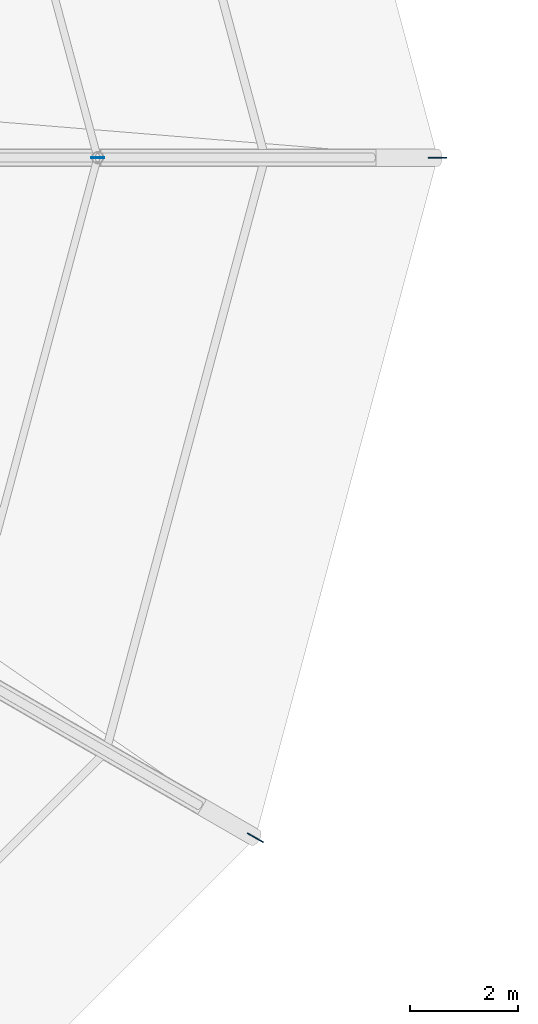
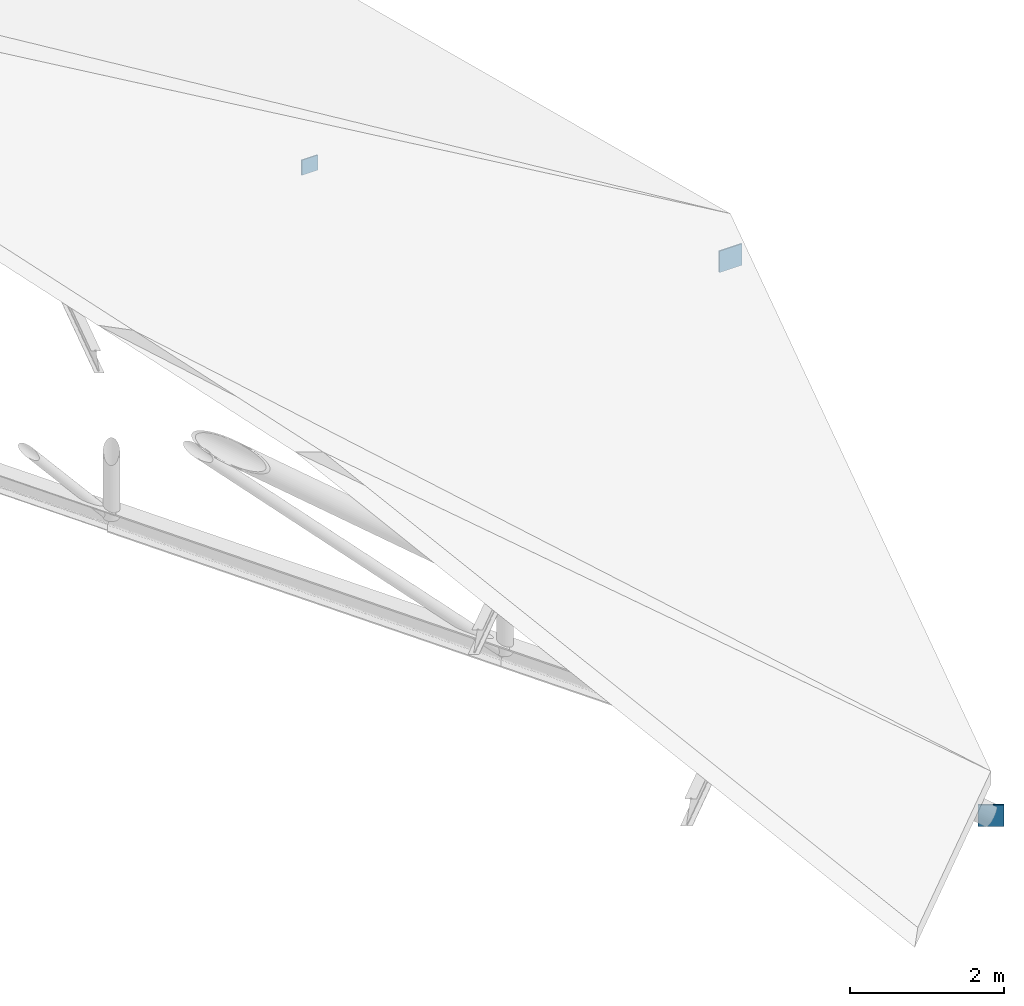
# One storey, part 43 of 58: 3 plates.
"""IFC4 building model written with IfcOpenShell, lengths in metres."""

from ifc_helpers import new_model, si_unit, derived_unit, direction, frame, origin, origin_2d, place, context, subcontext, project, spatial, rectangle, extrude, material, layer, layer_set, type_object, element, save


model = new_model("IFC4")

# Units and contexts
model_context = context("Model", 3, precision=1e-05, world=origin(), true_north=direction((0.0, 1.0)))
body_context = subcontext(model_context, "Body", "Model", "MODEL_VIEW")
ifc_project = project(units=[si_unit("LENGTHUNIT", "METRE"), si_unit("AREAUNIT", "SQUARE_METRE"), si_unit("VOLUMEUNIT", "CUBIC_METRE"), si_unit("PLANEANGLEUNIT", "RADIAN"), si_unit("MASSUNIT", "GRAM", prefix="KILO"), derived_unit("THERMALTRANSMITTANCEUNIT", [(si_unit("POWERUNIT", "WATT"), 1), (si_unit("AREAUNIT", "SQUARE_METRE"), -1), (si_unit("THERMODYNAMICTEMPERATUREUNIT", "KELVIN"), -1)])], contexts=[model_context])

# Site, building, storey
site_placement = place(None, origin())
site = spatial("IfcSite", under=ifc_project, at=site_placement, CompositionType="ELEMENT")
building_placement = place(site_placement, origin())
building = spatial("IfcBuilding", under=site, at=building_placement, Name="Yasenodar Specialist Clinic", CompositionType="ELEMENT")
storey_placement = place(building_placement, frame((0.0, 0.0, 21.300048828125)))
storey = spatial("IfcBuildingStorey", under=building, at=storey_placement, Name="L05", CompositionType="ELEMENT", Elevation=21.300048828125)

# Plates
ifc_material = material(Name="Steel S355", Category="steel")
ifc_layer_1 = layer(ifc_material, 0.02001953125)
ifc_layer_set_1 = layer_set([ifc_layer_1], Name="Steel S355")
plate_type_1 = type_object("IfcPlateType", Name="PL-STEEL-03", PredefinedType="SHEET", material=ifc_layer_set_1)
for number, where, z_axis, x_axis, name in (
    (1, (106.199951171875, 58.800048828125, -0.8701171875), (0.0, 0.0, 1.0), (1.0, 0.0, 0.0), "L05 Hollow Section End-Cap Plate 0043"),
    (2, (102.82373046875, 46.199951171875, -0.8701171875), (0.0, 0.0, 1.0), (0.866025403784, -0.5, 0.0), "L05 Hollow Section End-Cap Plate 0098"),
):
    element("IfcPlate", number, at=place(storey_placement, frame(where, z_axis=z_axis, x_axis=x_axis)), inside=storey, type_object=plate_type_1, Name=name, PredefinedType="SHEET", context=body_context, shape_type="SweptSolid", body=[
        extrude(rectangle(XDim=0.340087890625, YDim=0.02001953125, at=origin_2d()), origin(), (0.0, 0.0, 1.0), 0.340087890625),
    ])
ifc_layer_2 = layer(ifc_material, 0.01611328125)
ifc_layer_set_2 = layer_set([ifc_layer_2], Name="Steel S355")
plate_type_2 = type_object("IfcPlateType", Name="PL-STEEL-05", PredefinedType="USERDEFINED", material=ifc_layer_set_2)
plate_placement = place(storey_placement, frame((99.89990234375, 58.800048828125, 2.85498046875), z_axis=(0.0, 0.0, 1.0), x_axis=(1.0, 0.0, 0.0)))
element("IfcPlate", 3, at=plate_placement, inside=storey, type_object=plate_type_2, Name="L05 Hollow Section End-Cap Plate 0044", ObjectType="CAP_PLATE", PredefinedType="USERDEFINED", context=body_context, shape_type="SweptSolid", body=[
    extrude(rectangle(XDim=0.239990234375, YDim=0.01611328125, at=origin_2d()), origin(), (0.0, 0.0, 1.0), 0.239990234375),
])

save(model, "model.ifc")
